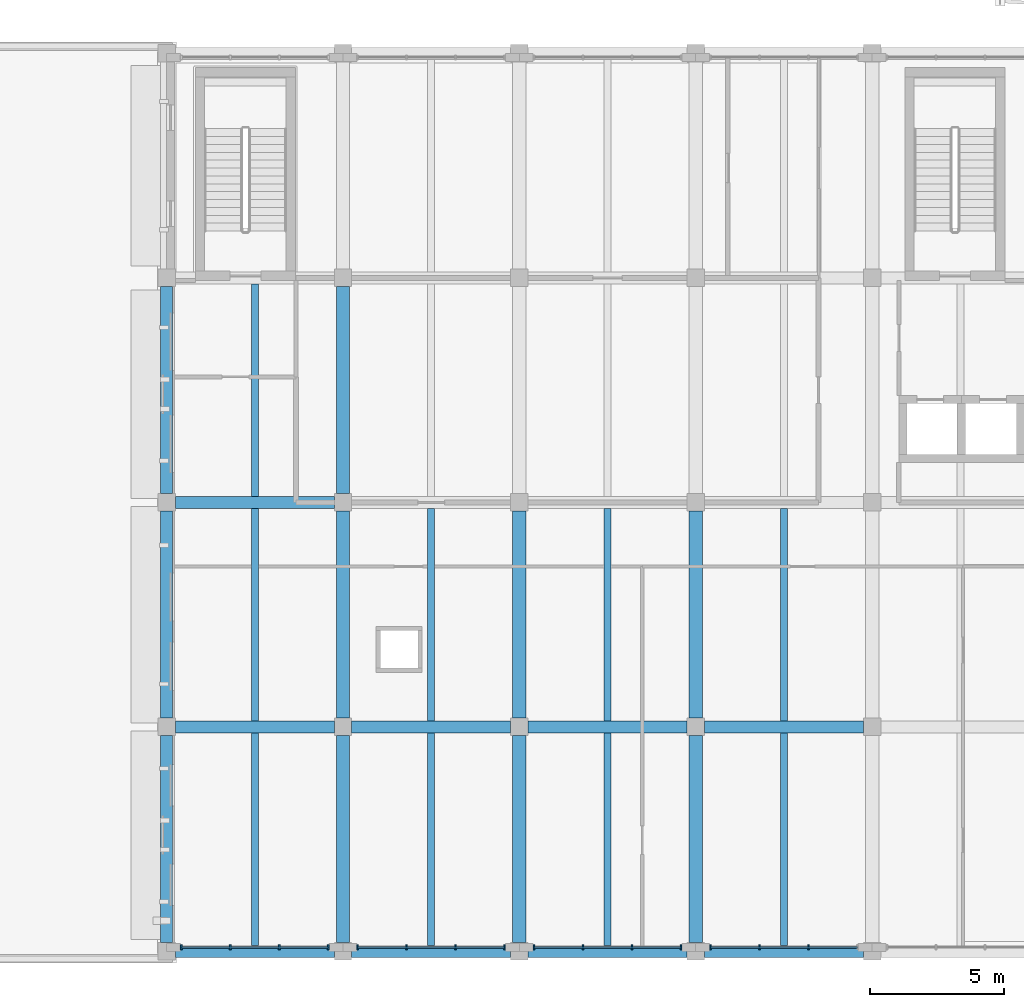
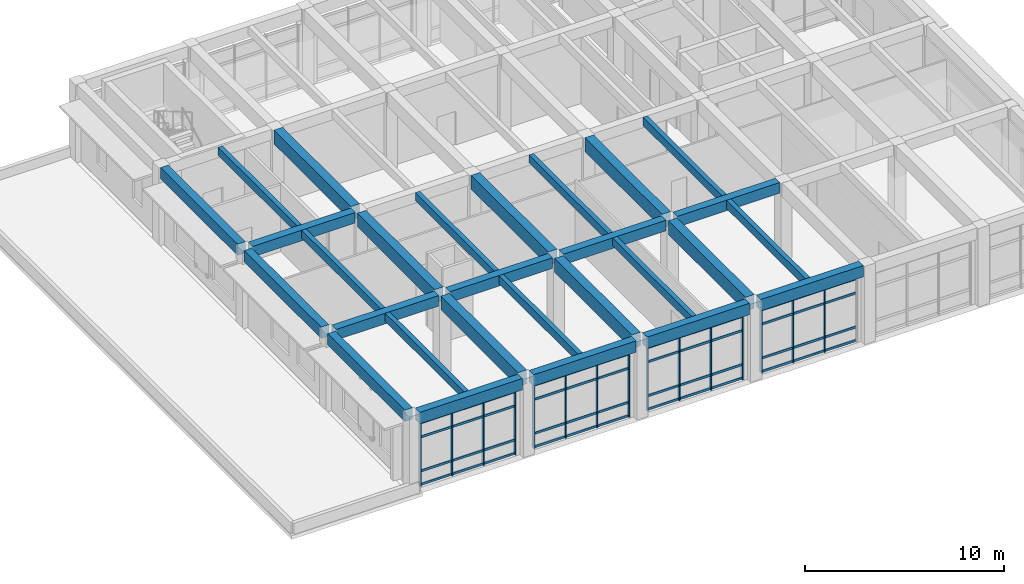
# One storey, part 6 of 79: 31 members, 28 beams, 4 elements without a shape of their own.
"""IFC4 building model written with IfcOpenShell, lengths in metres."""

from ifc_helpers import new_model, si_unit, direction, frame, origin, origin_2d, place, context, subcontext, project, spatial, rectangle, extrude, material, layer, layer_set, material_profile, profile_set, type_object, element, aggregate, save


model = new_model("IFC4")

# Units and contexts
model_context = context("Model", 3, precision=1e-05, world=origin(), true_north=direction((0.0, 1.0)))
body_context = subcontext(model_context, "Body", "Model", "MODEL_VIEW")
ifc_project = project(units=[si_unit("LENGTHUNIT", "METRE"), si_unit("AREAUNIT", "SQUARE_METRE"), si_unit("VOLUMEUNIT", "CUBIC_METRE"), si_unit("PLANEANGLEUNIT", "RADIAN"), si_unit("MASSUNIT", "GRAM", prefix="KILO")], contexts=[model_context])

# Site, building, storey
site_placement = place(None, origin())
site = spatial("IfcSite", under=ifc_project, at=site_placement, CompositionType="ELEMENT")
building_placement = place(site_placement, origin())
building = spatial("IfcBuilding", under=site, at=building_placement, Name="Kolvaren Faculty of Natural Sciences", CompositionType="ELEMENT")
storey_placement = place(building_placement, frame((0.0, 0.0, 10.199951171875)))
storey = spatial("IfcBuildingStorey", under=building, at=storey_placement, Name="L02", CompositionType="ELEMENT", Elevation=10.199951171875)

# Curtain wall, members
ifc_material_1 = material(Name="Thermally broken anodised aluminium framing", Category="aluminium")
ifc_layer = layer(ifc_material_1, 0.179931640625)
ifc_layer_set = layer_set([ifc_layer], Name="Thermally broken anodised aluminium framing")
curtain_wall_type = type_object("IfcCurtainWallType", Name="CommonsCurtainWall_CW02", PredefinedType="NOTDEFINED", material=ifc_layer_set)
curtain_wall_1_placement = place(storey_placement, origin())
curtain_wall_1 = element("IfcCurtainWall", 1, at=curtain_wall_1_placement, inside=storey, type_object=curtain_wall_type, Name="L02 unitised curtain wall CW-02 (CW-L02-079)", PredefinedType="NOTDEFINED")
ifc_material_profile_1 = material_profile(ifc_material_1, rectangle(XDim=0.06005859375, YDim=0.179931640625, at=origin_2d()), Name="ALU MUL 60x180")
ifc_profile_set_1 = profile_set([ifc_material_profile_1], Name="Thermally broken anodised aluminium framing")
member_type_1 = type_object("IfcMemberType", Name="CurtainMullion_60x180", PredefinedType="MULLION", material=ifc_profile_set_1)
member_1_placement = place(storey_placement, frame((30.816650390625, 8.75, 0.0), z_axis=(0.0, 0.0, 1.0), x_axis=(-1.0, 0.0, 0.0)))
member_1 = element("IfcMember", 2, at=member_1_placement, type_object=member_type_1, Name="CW-L02-079 vertical mullion 2", PredefinedType="MULLION", context=body_context, shape_type="SweptSolid", body=[
    extrude(rectangle(XDim=0.06005859375, YDim=0.179931640625, at=origin_2d()), origin(), (0.0, 0.0, 1.0), 3.93505859375),
])
member_2_placement = place(storey_placement, frame((28.9833984375, 8.75, 0.0), z_axis=(0.0, 0.0, 1.0), x_axis=(-1.0, 0.0, 0.0)))
member_2 = element("IfcMember", 3, at=member_2_placement, type_object=member_type_1, Name="CW-L02-079 vertical mullion 3", PredefinedType="MULLION", context=body_context, shape_type="SweptSolid", body=[
    extrude(rectangle(XDim=0.06005859375, YDim=0.179931640625, at=origin_2d()), origin(), (0.0, 0.0, 1.0), 3.93505859375),
])
member_3_placement = place(storey_placement, frame((27.14990234375, 8.75, 0.0), z_axis=(0.0, 0.0, 1.0), x_axis=(-1.0, 0.0, 0.0)))
member_3 = element("IfcMember", 4, at=member_3_placement, type_object=member_type_1, Name="CW-L02-079 vertical mullion 4", PredefinedType="MULLION", context=body_context, shape_type="SweptSolid", body=[
    extrude(rectangle(XDim=0.06005859375, YDim=0.179931640625, at=origin_2d()), origin(), (0.0, 0.0, 1.0), 3.93505859375),
])

curtain_wall_2_placement = place(storey_placement, origin())
curtain_wall_2 = element("IfcCurtainWall", 5, at=curtain_wall_2_placement, inside=storey, type_object=curtain_wall_type, Name="L02 unitised curtain wall CW-02 (CW-L02-080)", PredefinedType="NOTDEFINED")
member_4_placement = place(storey_placement, frame((26.050048828125, 8.75, 0.0), z_axis=(0.0, 0.0, 1.0), x_axis=(-1.0, 0.0, 0.0)))
member_4 = element("IfcMember", 6, at=member_4_placement, type_object=member_type_1, Name="CW-L02-080 vertical mullion 1", PredefinedType="MULLION", context=body_context, shape_type="SweptSolid", body=[
    extrude(rectangle(XDim=0.06005859375, YDim=0.179931640625, at=origin_2d()), origin(), (0.0, 0.0, 1.0), 3.93505859375),
])
member_5_placement = place(storey_placement, frame((24.216796875, 8.75, 0.0), z_axis=(0.0, 0.0, 1.0), x_axis=(-1.0, 0.0, 0.0)))
member_5 = element("IfcMember", 7, at=member_5_placement, type_object=member_type_1, Name="CW-L02-080 vertical mullion 2", PredefinedType="MULLION", context=body_context, shape_type="SweptSolid", body=[
    extrude(rectangle(XDim=0.06005859375, YDim=0.179931640625, at=origin_2d()), origin(), (0.0, 0.0, 1.0), 3.93505859375),
])
member_6_placement = place(storey_placement, frame((22.38330078125, 8.75, 0.0), z_axis=(0.0, 0.0, 1.0), x_axis=(-1.0, 0.0, 0.0)))
member_6 = element("IfcMember", 8, at=member_6_placement, type_object=member_type_1, Name="CW-L02-080 vertical mullion 3", PredefinedType="MULLION", context=body_context, shape_type="SweptSolid", body=[
    extrude(rectangle(XDim=0.06005859375, YDim=0.179931640625, at=origin_2d()), origin(), (0.0, 0.0, 1.0), 3.93505859375),
])
member_7_placement = place(storey_placement, frame((20.550048828125, 8.75, 0.0), z_axis=(0.0, 0.0, 1.0), x_axis=(-1.0, 0.0, 0.0)))
member_7 = element("IfcMember", 9, at=member_7_placement, type_object=member_type_1, Name="CW-L02-080 vertical mullion 4", PredefinedType="MULLION", context=body_context, shape_type="SweptSolid", body=[
    extrude(rectangle(XDim=0.06005859375, YDim=0.179931640625, at=origin_2d()), origin(), (0.0, 0.0, 1.0), 3.93505859375),
])

curtain_wall_3_placement = place(storey_placement, origin())
curtain_wall_3 = element("IfcCurtainWall", 10, at=curtain_wall_3_placement, inside=storey, type_object=curtain_wall_type, Name="L02 unitised curtain wall CW-02 (CW-L02-081)", PredefinedType="NOTDEFINED")
member_8_placement = place(storey_placement, frame((19.449951171875, 8.75, 0.0), z_axis=(0.0, 0.0, 1.0), x_axis=(-1.0, 0.0, 0.0)))
member_8 = element("IfcMember", 11, at=member_8_placement, type_object=member_type_1, Name="CW-L02-081 vertical mullion 1", PredefinedType="MULLION", context=body_context, shape_type="SweptSolid", body=[
    extrude(rectangle(XDim=0.06005859375, YDim=0.179931640625, at=origin_2d()), origin(), (0.0, 0.0, 1.0), 3.93505859375),
])
member_9_placement = place(storey_placement, frame((17.61669921875, 8.75, 0.0), z_axis=(0.0, 0.0, 1.0), x_axis=(-1.0, 0.0, 0.0)))
member_9 = element("IfcMember", 12, at=member_9_placement, type_object=member_type_1, Name="CW-L02-081 vertical mullion 2", PredefinedType="MULLION", context=body_context, shape_type="SweptSolid", body=[
    extrude(rectangle(XDim=0.06005859375, YDim=0.179931640625, at=origin_2d()), origin(), (0.0, 0.0, 1.0), 3.93505859375),
])
member_10_placement = place(storey_placement, frame((15.783203125, 8.75, 0.0), z_axis=(0.0, 0.0, 1.0), x_axis=(-1.0, 0.0, 0.0)))
member_10 = element("IfcMember", 13, at=member_10_placement, type_object=member_type_1, Name="CW-L02-081 vertical mullion 3", PredefinedType="MULLION", context=body_context, shape_type="SweptSolid", body=[
    extrude(rectangle(XDim=0.06005859375, YDim=0.179931640625, at=origin_2d()), origin(), (0.0, 0.0, 1.0), 3.93505859375),
])
member_11_placement = place(storey_placement, frame((13.949951171875, 8.75, 0.0), z_axis=(0.0, 0.0, 1.0), x_axis=(-1.0, 0.0, 0.0)))
member_11 = element("IfcMember", 14, at=member_11_placement, type_object=member_type_1, Name="CW-L02-081 vertical mullion 4", PredefinedType="MULLION", context=body_context, shape_type="SweptSolid", body=[
    extrude(rectangle(XDim=0.06005859375, YDim=0.179931640625, at=origin_2d()), origin(), (0.0, 0.0, 1.0), 3.93505859375),
])

curtain_wall_4_placement = place(storey_placement, origin())
curtain_wall_4 = element("IfcCurtainWall", 15, at=curtain_wall_4_placement, inside=storey, type_object=curtain_wall_type, Name="L02 unitised curtain wall CW-02 (CW-L02-082)", PredefinedType="NOTDEFINED")
member_12_placement = place(storey_placement, frame((12.85009765625, 8.75, 0.0), z_axis=(0.0, 0.0, 1.0), x_axis=(-1.0, 0.0, 0.0)))
member_12 = element("IfcMember", 16, at=member_12_placement, type_object=member_type_1, Name="CW-L02-082 vertical mullion 1", PredefinedType="MULLION", context=body_context, shape_type="SweptSolid", body=[
    extrude(rectangle(XDim=0.06005859375, YDim=0.179931640625, at=origin_2d()), origin(), (0.0, 0.0, 1.0), 3.93505859375),
])
member_13_placement = place(storey_placement, frame((11.0166015625, 8.75, 0.0), z_axis=(0.0, 0.0, 1.0), x_axis=(-1.0, 0.0, 0.0)))
member_13 = element("IfcMember", 17, at=member_13_placement, type_object=member_type_1, Name="CW-L02-082 vertical mullion 2", PredefinedType="MULLION", context=body_context, shape_type="SweptSolid", body=[
    extrude(rectangle(XDim=0.06005859375, YDim=0.179931640625, at=origin_2d()), origin(), (0.0, 0.0, 1.0), 3.93505859375),
])
member_14_placement = place(storey_placement, frame((9.183349609375, 8.75, 0.0), z_axis=(0.0, 0.0, 1.0), x_axis=(-1.0, 0.0, 0.0)))
member_14 = element("IfcMember", 18, at=member_14_placement, type_object=member_type_1, Name="CW-L02-082 vertical mullion 3", PredefinedType="MULLION", context=body_context, shape_type="SweptSolid", body=[
    extrude(rectangle(XDim=0.06005859375, YDim=0.179931640625, at=origin_2d()), origin(), (0.0, 0.0, 1.0), 3.93505859375),
])
member_15_placement = place(storey_placement, frame((7.35009765625, 8.75, 0.0), z_axis=(0.0, 0.0, 1.0), x_axis=(-1.0, 0.0, 0.0)))
member_15 = element("IfcMember", 19, at=member_15_placement, type_object=member_type_1, Name="CW-L02-082 vertical mullion 4", PredefinedType="MULLION", context=body_context, shape_type="SweptSolid", body=[
    extrude(rectangle(XDim=0.06005859375, YDim=0.179931640625, at=origin_2d()), origin(), (0.0, 0.0, 1.0), 3.93505859375),
])

# Member
ifc_material_profile_2 = material_profile(ifc_material_1, rectangle(XDim=0.06005859375, YDim=0.139892578125, at=origin_2d()), Name="ALU TRN 60x140")
ifc_profile_set_2 = profile_set([ifc_material_profile_2], Name="Thermally broken anodised aluminium framing")
member_type_2 = type_object("IfcMemberType", Name="CurtainTransom_60x140", PredefinedType="USERDEFINED", material=ifc_profile_set_2)
member_16_placement = place(storey_placement, frame((32.64990234375, 8.75, 0.080078125), z_axis=(-1.0, 0.0, 0.0), x_axis=(0.0, -1.0, 0.0)))
member_16 = element("IfcMember", 20, at=member_16_placement, type_object=member_type_2, Name="CW-L02-079 horizontal transom 1", ObjectType="TRANSOM", PredefinedType="USERDEFINED", context=body_context, shape_type="SweptSolid", body=[
    extrude(rectangle(XDim=0.06005859375, YDim=0.139892578125, at=origin_2d()), origin(), (0.0, 0.0, 1.0), 5.5),
])

member_17_placement = place(storey_placement, frame((32.64990234375, 8.75, 0.900146484375), z_axis=(-1.0, 0.0, 0.0), x_axis=(0.0, -1.0, 0.0)))
member_17 = element("IfcMember", 21, at=member_17_placement, type_object=member_type_2, Name="CW-L02-079 horizontal transom 2", ObjectType="TRANSOM", PredefinedType="USERDEFINED", context=body_context, shape_type="SweptSolid", body=[
    extrude(rectangle(XDim=0.06005859375, YDim=0.139892578125, at=origin_2d()), origin(), (0.0, 0.0, 1.0), 5.5),
])

member_18_placement = place(storey_placement, frame((32.64990234375, 8.75, 2.985107421875), z_axis=(-1.0, 0.0, 0.0), x_axis=(0.0, -1.0, 0.0)))
member_18 = element("IfcMember", 22, at=member_18_placement, type_object=member_type_2, Name="CW-L02-079 horizontal transom 3", ObjectType="TRANSOM", PredefinedType="USERDEFINED", context=body_context, shape_type="SweptSolid", body=[
    extrude(rectangle(XDim=0.06005859375, YDim=0.139892578125, at=origin_2d()), origin(), (0.0, 0.0, 1.0), 5.5),
])

member_19_placement = place(storey_placement, frame((32.64990234375, 8.75, 3.85498046875), z_axis=(-1.0, 0.0, 0.0), x_axis=(0.0, -1.0, 0.0)))
member_19 = element("IfcMember", 23, at=member_19_placement, type_object=member_type_2, Name="CW-L02-079 horizontal transom 4", ObjectType="TRANSOM", PredefinedType="USERDEFINED", context=body_context, shape_type="SweptSolid", body=[
    extrude(rectangle(XDim=0.06005859375, YDim=0.139892578125, at=origin_2d()), origin(), (0.0, 0.0, 1.0), 5.5),
])

aggregate(curtain_wall_1, [member_1, member_2, member_3, member_16, member_17, member_18, member_19])

member_20_placement = place(storey_placement, frame((26.050048828125, 8.75, 0.080078125), z_axis=(-1.0, 0.0, 0.0), x_axis=(0.0, -1.0, 0.0)))
member_20 = element("IfcMember", 24, at=member_20_placement, type_object=member_type_2, Name="CW-L02-080 horizontal transom 1", ObjectType="TRANSOM", PredefinedType="USERDEFINED", context=body_context, shape_type="SweptSolid", body=[
    extrude(rectangle(XDim=0.06005859375, YDim=0.139892578125, at=origin_2d()), origin(), (0.0, 0.0, 1.0), 5.5),
])

member_21_placement = place(storey_placement, frame((26.050048828125, 8.75, 0.900146484375), z_axis=(-1.0, 0.0, 0.0), x_axis=(0.0, -1.0, 0.0)))
member_21 = element("IfcMember", 25, at=member_21_placement, type_object=member_type_2, Name="CW-L02-080 horizontal transom 2", ObjectType="TRANSOM", PredefinedType="USERDEFINED", context=body_context, shape_type="SweptSolid", body=[
    extrude(rectangle(XDim=0.06005859375, YDim=0.139892578125, at=origin_2d()), origin(), (0.0, 0.0, 1.0), 5.5),
])

member_22_placement = place(storey_placement, frame((26.050048828125, 8.75, 2.985107421875), z_axis=(-1.0, 0.0, 0.0), x_axis=(0.0, -1.0, 0.0)))
member_22 = element("IfcMember", 26, at=member_22_placement, type_object=member_type_2, Name="CW-L02-080 horizontal transom 3", ObjectType="TRANSOM", PredefinedType="USERDEFINED", context=body_context, shape_type="SweptSolid", body=[
    extrude(rectangle(XDim=0.06005859375, YDim=0.139892578125, at=origin_2d()), origin(), (0.0, 0.0, 1.0), 5.5),
])

member_23_placement = place(storey_placement, frame((26.050048828125, 8.75, 3.85498046875), z_axis=(-1.0, 0.0, 0.0), x_axis=(0.0, -1.0, 0.0)))
member_23 = element("IfcMember", 27, at=member_23_placement, type_object=member_type_2, Name="CW-L02-080 horizontal transom 4", ObjectType="TRANSOM", PredefinedType="USERDEFINED", context=body_context, shape_type="SweptSolid", body=[
    extrude(rectangle(XDim=0.06005859375, YDim=0.139892578125, at=origin_2d()), origin(), (0.0, 0.0, 1.0), 5.5),
])

aggregate(curtain_wall_2, [member_4, member_5, member_6, member_7, member_20, member_21, member_22, member_23])

member_24_placement = place(storey_placement, frame((19.449951171875, 8.75, 0.080078125), z_axis=(-1.0, 0.0, 0.0), x_axis=(0.0, -1.0, 0.0)))
member_24 = element("IfcMember", 28, at=member_24_placement, type_object=member_type_2, Name="CW-L02-081 horizontal transom 1", ObjectType="TRANSOM", PredefinedType="USERDEFINED", context=body_context, shape_type="SweptSolid", body=[
    extrude(rectangle(XDim=0.06005859375, YDim=0.139892578125, at=origin_2d()), origin(), (0.0, 0.0, 1.0), 5.5),
])

member_25_placement = place(storey_placement, frame((19.449951171875, 8.75, 0.900146484375), z_axis=(-1.0, 0.0, 0.0), x_axis=(0.0, -1.0, 0.0)))
member_25 = element("IfcMember", 29, at=member_25_placement, type_object=member_type_2, Name="CW-L02-081 horizontal transom 2", ObjectType="TRANSOM", PredefinedType="USERDEFINED", context=body_context, shape_type="SweptSolid", body=[
    extrude(rectangle(XDim=0.06005859375, YDim=0.139892578125, at=origin_2d()), origin(), (0.0, 0.0, 1.0), 5.5),
])

member_26_placement = place(storey_placement, frame((19.449951171875, 8.75, 2.985107421875), z_axis=(-1.0, 0.0, 0.0), x_axis=(0.0, -1.0, 0.0)))
member_26 = element("IfcMember", 30, at=member_26_placement, type_object=member_type_2, Name="CW-L02-081 horizontal transom 3", ObjectType="TRANSOM", PredefinedType="USERDEFINED", context=body_context, shape_type="SweptSolid", body=[
    extrude(rectangle(XDim=0.06005859375, YDim=0.139892578125, at=origin_2d()), origin(), (0.0, 0.0, 1.0), 5.5),
])

member_27_placement = place(storey_placement, frame((19.449951171875, 8.75, 3.85498046875), z_axis=(-1.0, 0.0, 0.0), x_axis=(0.0, -1.0, 0.0)))
member_27 = element("IfcMember", 31, at=member_27_placement, type_object=member_type_2, Name="CW-L02-081 horizontal transom 4", ObjectType="TRANSOM", PredefinedType="USERDEFINED", context=body_context, shape_type="SweptSolid", body=[
    extrude(rectangle(XDim=0.06005859375, YDim=0.139892578125, at=origin_2d()), origin(), (0.0, 0.0, 1.0), 5.5),
])

aggregate(curtain_wall_3, [member_8, member_9, member_10, member_11, member_24, member_25, member_26, member_27])

member_28_placement = place(storey_placement, frame((12.85009765625, 8.75, 0.080078125), z_axis=(-1.0, 0.0, 0.0), x_axis=(0.0, -1.0, 0.0)))
member_28 = element("IfcMember", 32, at=member_28_placement, type_object=member_type_2, Name="CW-L02-082 horizontal transom 1", ObjectType="TRANSOM", PredefinedType="USERDEFINED", context=body_context, shape_type="SweptSolid", body=[
    extrude(rectangle(XDim=0.06005859375, YDim=0.139892578125, at=origin_2d()), origin(), (0.0, 0.0, 1.0), 5.5),
])

member_29_placement = place(storey_placement, frame((12.85009765625, 8.75, 0.900146484375), z_axis=(-1.0, 0.0, 0.0), x_axis=(0.0, -1.0, 0.0)))
member_29 = element("IfcMember", 33, at=member_29_placement, type_object=member_type_2, Name="CW-L02-082 horizontal transom 2", ObjectType="TRANSOM", PredefinedType="USERDEFINED", context=body_context, shape_type="SweptSolid", body=[
    extrude(rectangle(XDim=0.06005859375, YDim=0.139892578125, at=origin_2d()), origin(), (0.0, 0.0, 1.0), 5.5),
])

member_30_placement = place(storey_placement, frame((12.85009765625, 8.75, 2.985107421875), z_axis=(-1.0, 0.0, 0.0), x_axis=(0.0, -1.0, 0.0)))
member_30 = element("IfcMember", 34, at=member_30_placement, type_object=member_type_2, Name="CW-L02-082 horizontal transom 3", ObjectType="TRANSOM", PredefinedType="USERDEFINED", context=body_context, shape_type="SweptSolid", body=[
    extrude(rectangle(XDim=0.06005859375, YDim=0.139892578125, at=origin_2d()), origin(), (0.0, 0.0, 1.0), 5.5),
])

member_31_placement = place(storey_placement, frame((12.85009765625, 8.75, 3.85498046875), z_axis=(-1.0, 0.0, 0.0), x_axis=(0.0, -1.0, 0.0)))
member_31 = element("IfcMember", 35, at=member_31_placement, type_object=member_type_2, Name="CW-L02-082 horizontal transom 4", ObjectType="TRANSOM", PredefinedType="USERDEFINED", context=body_context, shape_type="SweptSolid", body=[
    extrude(rectangle(XDim=0.06005859375, YDim=0.139892578125, at=origin_2d()), origin(), (0.0, 0.0, 1.0), 5.5),
])

aggregate(curtain_wall_4, [member_12, member_13, member_14, member_15, member_28, member_29, member_30, member_31])

# Beams
ifc_material_2 = material(Name="Concrete C35/45", Category="concrete")
ifc_material_profile_3 = material_profile(ifc_material_2, rectangle(XDim=0.449951171875, YDim=0.64990234375, at=origin_2d()), Name="RC BM 450x650")
ifc_profile_set_3 = profile_set([ifc_material_profile_3], Name="Concrete C35/45")
beam_type_1 = type_object("IfcBeamType", Name="GridBeam_450x650", PredefinedType="BEAM", material=ifc_profile_set_3)
for number, where, z_axis, x_axis, name in (
    (36, (7.125, 17.0, 4.47509765625), (1.0, 0.0, 0.0), (0.0, 1.0, 0.0), "L02 beam BM-65 on grid C"),
    (37, (13.72509765625, 17.0, 4.47509765625), (1.0, 0.0, 0.0), (0.0, 1.0, 0.0), "L02 beam BM-65 on grid C"),
    (38, (20.324951171875, 17.0, 4.47509765625), (1.0, 0.0, 0.0), (0.0, 1.0, 0.0), "L02 beam BM-65 on grid C"),
    (39, (26.925048828125, 17.0, 4.47509765625), (1.0, 0.0, 0.0), (0.0, 1.0, 0.0), "L02 beam BM-65 on grid C"),
    (40, (7.125, 25.39990234375, 4.47509765625), (1.0, 0.0, 0.0), (0.0, 1.0, 0.0), "L02 beam BM-65 on grid D"),
):
    element("IfcBeam", number, at=place(storey_placement, frame(where, z_axis=z_axis, x_axis=x_axis)), inside=storey, type_object=beam_type_1, Name=name, PredefinedType="BEAM", context=body_context, shape_type="SweptSolid", body=[
        extrude(rectangle(XDim=0.449951171875, YDim=0.64990234375, at=origin_2d()), origin(), (0.0, 0.0, 1.0), 5.949951171875),
    ])
ifc_material_profile_4 = material_profile(ifc_material_2, rectangle(XDim=0.260009765625, YDim=0.5, at=origin_2d()), Name="RC JST 260x500")
ifc_profile_set_4 = profile_set([ifc_material_profile_4], Name="Concrete C35/45")
beam_type_2 = type_object("IfcBeamType", Name="LabRibJoist_260x500", PredefinedType="JOIST", material=ifc_profile_set_4)
for number, where, z_axis, x_axis, name in (
    (41, (10.10009765625, 8.824951171875, 4.550048828125), (0.0, 1.0, 0.0), (-1.0, 0.0, 0.0), "L02 ribbed laboratory slab joist JS-50"),
    (42, (10.10009765625, 17.22509765625, 4.550048828125), (0.0, 1.0, 0.0), (-1.0, 0.0, 0.0), "L02 ribbed laboratory slab joist JS-50"),
    (43, (10.10009765625, 25.625, 4.550048828125), (0.0, 1.0, 0.0), (-1.0, 0.0, 0.0), "L02 ribbed laboratory slab joist JS-50"),
    (44, (16.699951171875, 8.824951171875, 4.550048828125), (0.0, 1.0, 0.0), (-1.0, 0.0, 0.0), "L02 ribbed laboratory slab joist JS-50"),
    (45, (16.699951171875, 17.22509765625, 4.550048828125), (0.0, 1.0, 0.0), (-1.0, 0.0, 0.0), "L02 ribbed laboratory slab joist JS-50"),
    (46, (23.300048828125, 8.824951171875, 4.550048828125), (0.0, 1.0, 0.0), (-1.0, 0.0, 0.0), "L02 ribbed laboratory slab joist JS-50"),
    (47, (23.300048828125, 17.22509765625, 4.550048828125), (0.0, 1.0, 0.0), (-1.0, 0.0, 0.0), "L02 ribbed laboratory slab joist JS-50"),
    (48, (29.89990234375, 8.824951171875, 4.550048828125), (0.0, 1.0, 0.0), (-1.0, 0.0, 0.0), "L02 ribbed laboratory slab joist JS-50"),
    (49, (29.89990234375, 17.22509765625, 4.550048828125), (0.0, 1.0, 0.0), (-1.0, 0.0, 0.0), "L02 ribbed laboratory slab joist JS-50"),
):
    element("IfcBeam", number, at=place(storey_placement, frame(where, z_axis=z_axis, x_axis=x_axis)), inside=storey, type_object=beam_type_2, Name=name, PredefinedType="JOIST", context=body_context, shape_type="SweptSolid", body=[
        extrude(rectangle(XDim=0.260009765625, YDim=0.5, at=origin_2d()), origin(), (0.0, 0.0, 1.0), 7.949951171875),
    ])
ifc_material_profile_5 = material_profile(ifc_material_2, rectangle(XDim=0.449951171875, YDim=0.699951171875, at=origin_2d()), Name="RC SP 450x700")
ifc_profile_set_5 = profile_set([ifc_material_profile_5], Name="Concrete C35/45")
beam_type_3 = type_object("IfcBeamType", Name="PerimeterSpandrel_450x700", PredefinedType="SPANDREL", material=ifc_profile_set_5)
for number, where, z_axis, x_axis, name in (
    (50, (7.125, 8.60009765625, 4.449951171875), (1.0, 0.0, 0.0), (0.0, 1.0, 0.0), "L02 spandrel SP-70 on grid B"),
    (51, (13.72509765625, 8.60009765625, 4.449951171875), (1.0, 0.0, 0.0), (0.0, 1.0, 0.0), "L02 spandrel SP-70 on grid B"),
    (52, (20.324951171875, 8.60009765625, 4.449951171875), (1.0, 0.0, 0.0), (0.0, 1.0, 0.0), "L02 spandrel SP-70 on grid B"),
    (53, (26.925048828125, 8.60009765625, 4.449951171875), (1.0, 0.0, 0.0), (0.0, 1.0, 0.0), "L02 spandrel SP-70 on grid B"),
):
    element("IfcBeam", number, at=place(storey_placement, frame(where, z_axis=z_axis, x_axis=x_axis)), inside=storey, type_object=beam_type_3, Name=name, PredefinedType="SPANDREL", context=body_context, shape_type="SweptSolid", body=[
        extrude(rectangle(XDim=0.449951171875, YDim=0.699951171875, at=origin_2d()), origin(), (0.0, 0.0, 1.0), 5.949951171875),
    ])
for number, where, z_axis, x_axis, name in (
    (54, (6.800048828125, 8.925048828125, 4.449951171875), (0.0, 1.0, 0.0), (-1.0, 0.0, 0.0), "L02 girder SP-70 on grid 2"),
    (55, (6.800048828125, 17.324951171875, 4.449951171875), (0.0, 1.0, 0.0), (-1.0, 0.0, 0.0), "L02 girder SP-70 on grid 2"),
    (56, (6.800048828125, 25.72509765625, 4.449951171875), (0.0, 1.0, 0.0), (-1.0, 0.0, 0.0), "L02 girder SP-70 on grid 2"),
):
    element("IfcBeam", number, at=place(storey_placement, frame(where, z_axis=z_axis, x_axis=x_axis)), inside=storey, type_object=beam_type_3, Name=name, PredefinedType="SPANDREL", context=body_context, shape_type="SweptSolid", body=[
        extrude(rectangle(XDim=0.449951171875, YDim=0.699951171875, at=origin_2d()), origin(), (0.0, 0.0, 1.0), 7.75),
    ])
ifc_material_profile_6 = material_profile(ifc_material_2, rectangle(XDim=0.5, YDim=0.85009765625, at=origin_2d()), Name="RC BM 500x850")
ifc_profile_set_6 = profile_set([ifc_material_profile_6], Name="Concrete C35/45")
beam_type_4 = type_object("IfcBeamType", Name="PrimaryGirder_500x850", PredefinedType="BEAM", material=ifc_profile_set_6)
for number, where, z_axis, x_axis, name in (
    (57, (13.39990234375, 8.925048828125, 4.375), (0.0, 1.0, 0.0), (-1.0, 0.0, 0.0), "L02 girder BG-85 on grid 3"),
    (58, (13.39990234375, 17.324951171875, 4.375), (0.0, 1.0, 0.0), (-1.0, 0.0, 0.0), "L02 girder BG-85 on grid 3"),
    (59, (13.39990234375, 25.72509765625, 4.375), (0.0, 1.0, 0.0), (-1.0, 0.0, 0.0), "L02 girder BG-85 on grid 3"),
    (60, (20.0, 8.925048828125, 4.375), (0.0, 1.0, 0.0), (-1.0, 0.0, 0.0), "L02 girder BG-85 on grid 4"),
    (61, (20.0, 17.324951171875, 4.375), (0.0, 1.0, 0.0), (-1.0, 0.0, 0.0), "L02 girder BG-85 on grid 4"),
    (62, (26.60009765625, 8.925048828125, 4.375), (0.0, 1.0, 0.0), (-1.0, 0.0, 0.0), "L02 girder BG-85 on grid 5"),
    (63, (26.60009765625, 17.324951171875, 4.375), (0.0, 1.0, 0.0), (-1.0, 0.0, 0.0), "L02 girder BG-85 on grid 5"),
):
    element("IfcBeam", number, at=place(storey_placement, frame(where, z_axis=z_axis, x_axis=x_axis)), inside=storey, type_object=beam_type_4, Name=name, PredefinedType="BEAM", context=body_context, shape_type="SweptSolid", body=[
        extrude(rectangle(XDim=0.5, YDim=0.85009765625, at=origin_2d()), origin(), (0.0, 0.0, 1.0), 7.75),
    ])

save(model, "model.ifc")
